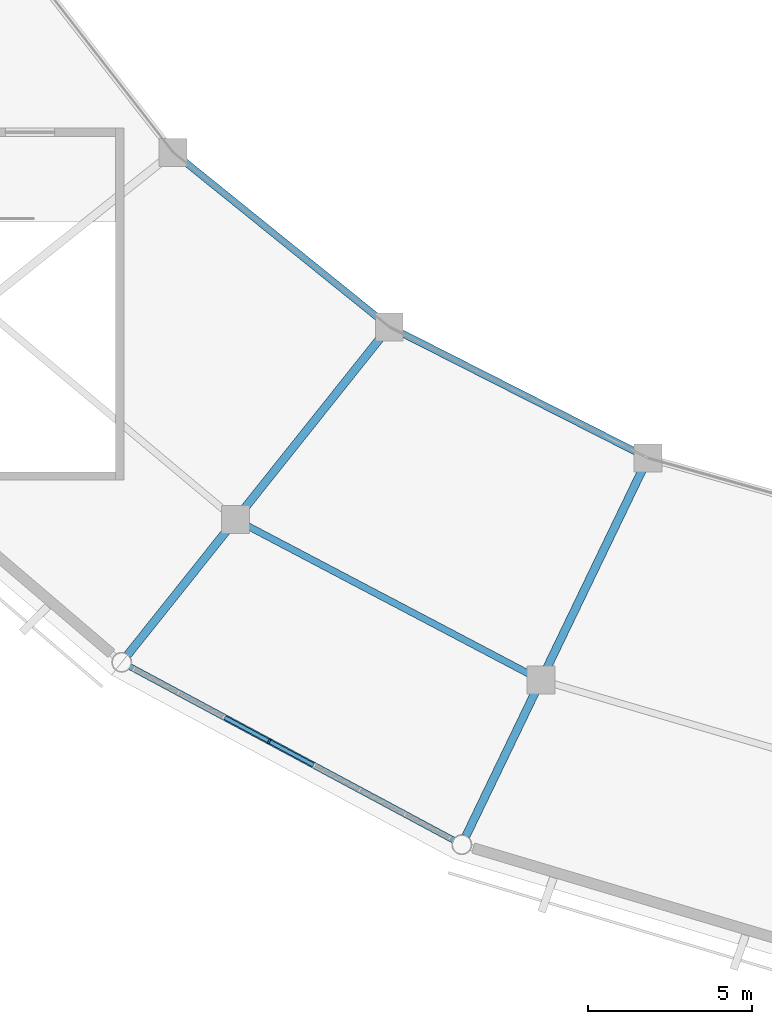
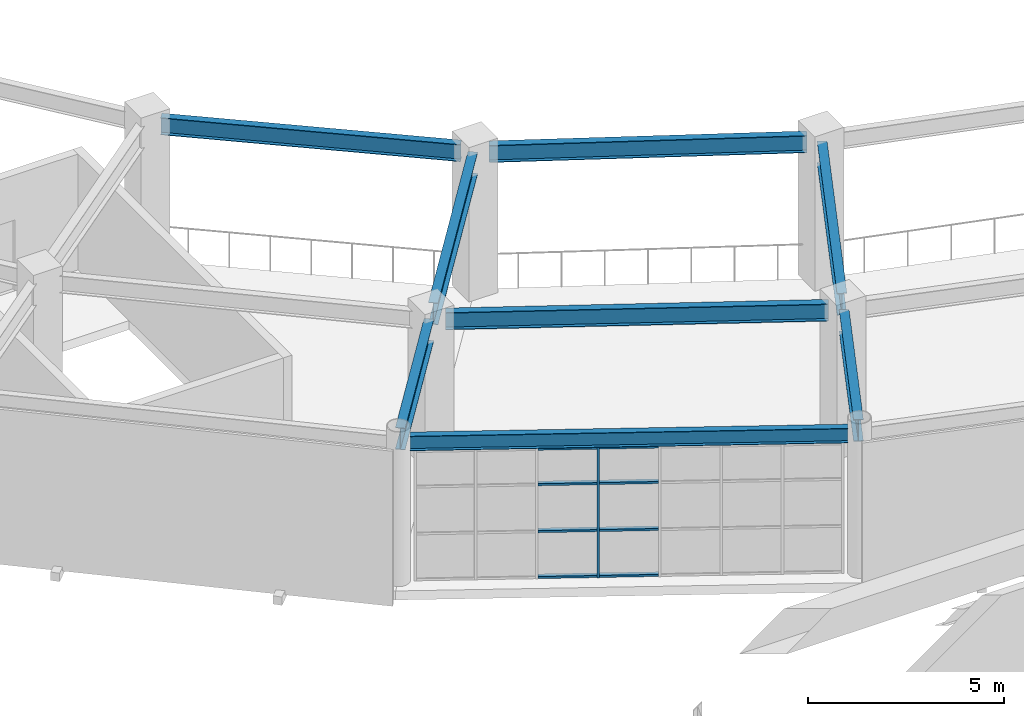
# One storey, part 23 of 112: 9 members, 8 beams, 1 element without a shape of its own.
"""IFC4 building model written with IfcOpenShell, lengths in metres."""

import ifcopenshell
import ifcopenshell.guid

model = None  # the IFC model being written
_history = None  # IfcOwnerHistory: only IFC2X3 demands one
_inside = {}  # id of a spatial element -> (the spatial element, [elements in it])
_under = {}  # id of a project, library or spatial element -> (it, [spatial elements below it])
_declared = {}  # id of a project -> (the project, [libraries it declares])
_typed = {}  # id of a type object -> (the type object, [elements of that type])
_made_of = {}  # id of a material, layer set ... -> (it, [elements and type objects made of it])


def new_model(schema):
    """Start an empty IFC model of exactly this schema.

    Asked for "IFC4X3", IfcOpenShell would pick the latest addendum, in which some entities
    have other attributes; the version numbers below select the first issue.
    IFC2X3 requires an IfcOwnerHistory on every rooted entity: one is made here for all.
    """
    global model, _history
    if schema == "IFC4X3":
        model = ifcopenshell.file(schema_version=(4, 3, 0, 0))
    else:
        model = ifcopenshell.file(schema=schema)
    _inside.clear()
    _under.clear()
    _declared.clear()
    _typed.clear()
    _made_of.clear()
    _history = None
    if model.schema == "IFC2X3":
        org = make("IfcOrganization", Name="unknown")
        user = make(
            "IfcPersonAndOrganization",
            ThePerson=make("IfcPerson", FamilyName="unknown"),
            TheOrganization=org,
        )
        app = make(
            "IfcApplication",
            ApplicationDeveloper=org,
            Version="unknown",
            ApplicationFullName="unknown",
            ApplicationIdentifier="unknown",
        )
        _history = make(
            "IfcOwnerHistory",
            OwningUser=user,
            OwningApplication=app,
            ChangeAction="ADDED",
            CreationDate=0,
        )
    return model


def make(cls, **values):
    """One entity of the class cls with the attributes given. An attribute that is None is left unset."""
    return model.create_entity(
        cls, **{name: value for name, value in values.items() if value is not None}
    )


def rooted(cls, **values):
    """An entity with a GlobalId (a new one), such as an element, a storey or a relation."""
    return make(cls, GlobalId=ifcopenshell.guid.new(), OwnerHistory=_history, **values)


def si_unit(unit_type, name, prefix=None):
    """IfcSIUnit, for example si_unit("LENGTHUNIT", "METRE", prefix="MILLI")."""
    return make("IfcSIUnit", UnitType=unit_type, Prefix=prefix, Name=name)


def assignment(units):
    """IfcUnitAssignment: the units of a project."""
    return None if units is None else make("IfcUnitAssignment", Units=units)


def point(xyz):
    """IfcCartesianPoint."""
    return None if xyz is None else make("IfcCartesianPoint", Coordinates=xyz)


def direction(xyz):
    """IfcDirection."""
    return None if xyz is None else make("IfcDirection", DirectionRatios=xyz)


def frame(location, z_axis=None, x_axis=None):
    """IfcAxis2Placement3D, a coordinate frame: its origin and axes. An axis left out is left unset."""
    return make(
        "IfcAxis2Placement3D",
        Location=point(location),
        Axis=direction(z_axis),
        RefDirection=direction(x_axis),
    )


def frame_2d(location, x_axis=None):
    """IfcAxis2Placement2D, a coordinate frame in the plane: its origin and x axis."""
    return make(
        "IfcAxis2Placement2D", Location=point(location), RefDirection=direction(x_axis)
    )


def origin():
    """The frame at (0, 0, 0) with its axes left unset."""
    return frame((0.0, 0.0, 0.0))


def origin_2d():
    """The frame at (0, 0) in the plane with its x axis left unset."""
    return frame_2d((0.0, 0.0))


def place(relative_to, where):
    """IfcLocalPlacement: puts the frame where relative to a parent placement (None: the world)."""
    return make(
        "IfcLocalPlacement", PlacementRelTo=relative_to, RelativePlacement=where
    )


def context(
    kind, dimensions, precision=None, world=None, true_north=None, identifier=None
):
    """IfcGeometricRepresentationContext, for example the 3D "Model" context."""
    return make(
        "IfcGeometricRepresentationContext",
        ContextIdentifier=identifier,
        ContextType=kind,
        CoordinateSpaceDimension=dimensions,
        Precision=precision,
        WorldCoordinateSystem=world,
        TrueNorth=true_north,
    )


def subcontext(parent, identifier, kind, view, scale=None):
    """IfcGeometricRepresentationSubContext, for example "Body" below "Model"."""
    return make(
        "IfcGeometricRepresentationSubContext",
        ContextIdentifier=identifier,
        ContextType=kind,
        ParentContext=parent,
        TargetScale=scale,
        TargetView=view,
    )


def project(units=None, contexts=None):
    """IfcProject with its units and contexts."""
    return rooted(
        "IfcProject",
        Name="project",
        RepresentationContexts=contexts,
        UnitsInContext=assignment(units),
    )


def spatial(cls, under=None, at=None, **own):
    """A site, building, storey or space (cls), placed at a placement, below another one or the project."""
    s = rooted(cls, ObjectPlacement=at, **own)
    if under is not None:
        _under.setdefault(under.id(), (under, []))[1].append(s)
    return s


def profile(cls, at=None, kind="AREA", **sizes):
    """A parametric profile (cls). Its sizes go by their IFC names, for example OverallWidth=200.0."""
    return make(cls, ProfileType=kind, Position=at, **sizes)


def rectangle(**sizes):
    """IfcRectangleProfileDef."""
    return profile("IfcRectangleProfileDef", **sizes)


def i_section(**sizes):
    """IfcIShapeProfileDef."""
    return profile("IfcIShapeProfileDef", **sizes)


def extrude(swept, where, along, depth):
    """IfcExtrudedAreaSolid: the profile swept, set in the frame where, extruded along a direction by depth."""
    return make(
        "IfcExtrudedAreaSolid",
        SweptArea=swept,
        Position=where,
        ExtrudedDirection=direction(along),
        Depth=depth,
    )


def shape(context_of_items, identifier, shape_type, items):
    """IfcShapeRepresentation: the items that make up one representation, for example the "Body"."""
    return make(
        "IfcShapeRepresentation",
        ContextOfItems=context_of_items,
        RepresentationIdentifier=identifier,
        RepresentationType=shape_type,
        Items=items,
    )


def material(Name=None, Category=None):
    """IfcMaterial."""
    return make("IfcMaterial", Name=Name, Category=Category)


def material_profile(
    of_material, cross_section, Name=None, Category=None, Priority=None
):
    """IfcMaterialProfile: a cross section and its material."""
    return make(
        "IfcMaterialProfile",
        Name=Name,
        Material=of_material,
        Profile=cross_section,
        Priority=Priority,
        Category=Category,
    )


def profile_set(profiles, Name=None, composite=None):
    """IfcMaterialProfileSet."""
    return make(
        "IfcMaterialProfileSet",
        Name=Name,
        MaterialProfiles=profiles,
        CompositeProfile=composite,
    )


def made_of(thing, what):
    """Note that an element or type object is made of a material, layer set ...; save() writes the relation."""
    if what is not None:
        _made_of.setdefault(what.id(), (what, []))[1].append(thing)
    return thing


def type_object(cls, material=None, **own):
    """A type object (cls), such as IfcWallType, which elements share."""
    return made_of(rooted(cls, **own), material)


def element(
    cls,
    number,
    at=None,
    inside=None,
    cuts=None,
    type_object=None,
    material=None,
    context=None,
    identifier="Body",
    shape_type=None,
    held_by="IfcProductDefinitionShape",
    body=None,
    shapes=None,
    **own,
):
    """One element of the class cls, such as IfcWall. Its Tag is "e" and its number.

    at: its placement. inside: the storey or other place that contains it. cuts: it is an
    opening in that element (IfcRelVoidsElement). A single representation is given by context,
    identifier, shape_type and body (its items); several are given by shapes. held_by: the class
    of the entity that holds the representations. save() writes the other relations.
    """
    e = rooted(cls, Tag="e%d" % number, ObjectPlacement=at, **own)
    if body is not None:
        shapes = [shape(context, identifier, shape_type, body)]
    if shapes is not None:
        e.Representation = make(held_by, Representations=shapes)
    if inside is not None:
        _inside.setdefault(inside.id(), (inside, []))[1].append(e)
    if cuts is not None:
        rooted(
            "IfcRelVoidsElement", RelatingBuildingElement=cuts, RelatedOpeningElement=e
        )
    if type_object is not None:
        _typed.setdefault(type_object.id(), (type_object, []))[1].append(e)
    return made_of(e, material)


def aggregate(whole, parts):
    """IfcRelAggregates: a whole, such as a stair, and the parts it consists of."""
    return rooted("IfcRelAggregates", RelatingObject=whole, RelatedObjects=parts)


def save(model, path):
    """Write the relations noted so far, then the file.

    IfcRelAggregates (storeys below a building ...), IfcRelContainedInSpatialStructure (elements
    in a storey), IfcRelDefinesByType, IfcRelAssociatesMaterial and IfcRelDeclares: one each for
    every whole, place, type object, material and project.
    """
    for whole, parts in _under.values():
        aggregate(whole, parts)
    for where, things in _inside.values():
        rooted(
            "IfcRelContainedInSpatialStructure",
            RelatedElements=things,
            RelatingStructure=where,
        )
    for kind, things in _typed.values():
        rooted("IfcRelDefinesByType", RelatedObjects=things, RelatingType=kind)
    for what, things in _made_of.values():
        rooted("IfcRelAssociatesMaterial", RelatedObjects=things, RelatingMaterial=what)
    for by, libraries in _declared.values():
        rooted("IfcRelDeclares", RelatingContext=by, RelatedDefinitions=libraries)
    model.write(path)


model = new_model("IFC4")

# Units and contexts
model_context = context("Model", 3, precision=1e-05, world=origin(), true_north=direction((0.0, 1.0)))
body_context = subcontext(model_context, "Body", "Model", "MODEL_VIEW")
ifc_project = project(units=[si_unit("LENGTHUNIT", "METRE"), si_unit("AREAUNIT", "SQUARE_METRE"), si_unit("VOLUMEUNIT", "CUBIC_METRE"), si_unit("PLANEANGLEUNIT", "RADIAN"), si_unit("MASSUNIT", "GRAM", prefix="KILO")], contexts=[model_context])

# Site, building, storey
site_placement = place(None, origin())
site = spatial("IfcSite", under=ifc_project, at=site_placement, CompositionType="ELEMENT")
building_placement = place(site_placement, origin())
building = spatial("IfcBuilding", under=site, at=building_placement, Name="Cuetzalor Civic Arena", CompositionType="ELEMENT")
storey_placement = place(building_placement, frame((0.0, 0.0, 11.39990234375)))
storey = spatial("IfcBuildingStorey", under=building, at=storey_placement, Name="L02", CompositionType="ELEMENT", Elevation=11.39990234375)

# Curtain wall, members
ifc_material_1 = material(Name="Anodised dark bronze aluminium and low-E solar glass", Category="aluminium")
curtain_wall_type = type_object("IfcCurtainWallType", Name="UnitisedCW_10950x4050", PredefinedType="USERDEFINED", material=ifc_material_1)
curtain_wall_placement = place(storey_placement, origin())
curtain_wall = element("IfcCurtainWall", 1, at=curtain_wall_placement, inside=storey, type_object=curtain_wall_type, Name="Drum Triangle Foyer Curtain Wall L02-040", ObjectType="UNITISED CURTAIN WALL", PredefinedType="USERDEFINED")
ifc_material_2 = material(Name="Anodised dark bronze aluminium", Category="aluminium")
ifc_material_profile_1 = material_profile(ifc_material_2, rectangle(XDim=0.06494140625, YDim=0.14990234375, at=origin_2d()), Name="ALU MULLION 65x150")
ifc_profile_set_1 = profile_set([ifc_material_profile_1], Name="Anodised dark bronze aluminium")
member_type_1 = type_object("IfcMemberType", Name="CurtainWallMullion_60x150", PredefinedType="MULLION", material=ifc_profile_set_1)
member_1_placement = place(storey_placement, frame((-29.529052734375, -38.797607421875, 0.0), z_axis=(0.0, 0.0, 1.0), x_axis=(-0.881306344124, 0.472545371163, 0.0)))
member_1 = element("IfcMember", 2, at=member_1_placement, type_object=member_type_1, Name="CW-13 mullion 5", PredefinedType="MULLION", context=body_context, shape_type="SweptSolid", body=[
    extrude(rectangle(XDim=0.06494140625, YDim=0.14990234375, at=origin_2d()), origin(), (0.0, 0.0, 1.0), 4.052978515625),
])
ifc_material_3 = material(Name="Anodised dark bronze aluminium", Category="aluminium")
ifc_material_profile_2 = material_profile(ifc_material_3, rectangle(XDim=0.1201171875, YDim=0.06494140625, at=origin_2d()), Name="ALU TRANSOM 65x120")
ifc_profile_set_2 = profile_set([ifc_material_profile_2], Name="Anodised dark bronze aluminium")
member_type_2 = type_object("IfcMemberType", Name="CurtainWallTransom_60x120", PredefinedType="USERDEFINED", material=ifc_profile_set_2)
member_2_placement = place(storey_placement, frame((-28.179443359375, -39.521240234375, 0.03271484375), z_axis=(-0.881291006113, 0.472573975737, 0.0), x_axis=(-0.472573975737, -0.881291006113, 0.0)))
member_2 = element("IfcMember", 3, at=member_2_placement, type_object=member_type_2, Name="CW-13 transom 4.1", ObjectType="TRANSOM", PredefinedType="USERDEFINED", context=body_context, shape_type="SweptSolid", body=[
    extrude(rectangle(XDim=0.1201171875, YDim=0.06494140625, at=origin_2d()), origin(), (0.0, 0.0, 1.0), 1.498779296875),
])
member_3_placement = place(storey_placement, frame((-28.179443359375, -39.521240234375, 1.458984375), z_axis=(-0.881291006113, 0.472573975737, 0.0), x_axis=(-0.472573975737, -0.881291006113, 0.0)))
member_3 = element("IfcMember", 4, at=member_3_placement, type_object=member_type_2, Name="CW-13 transom 4.2", ObjectType="TRANSOM", PredefinedType="USERDEFINED", context=body_context, shape_type="SweptSolid", body=[
    extrude(rectangle(XDim=0.1201171875, YDim=0.06494140625, at=origin_2d()), origin(), (0.0, 0.0, 1.0), 1.498779296875),
])
member_4_placement = place(storey_placement, frame((-28.179443359375, -39.521240234375, 2.918212890625), z_axis=(-0.881291006113, 0.472573975737, 0.0), x_axis=(-0.472573975737, -0.881291006113, 0.0)))
member_4 = element("IfcMember", 5, at=member_4_placement, type_object=member_type_2, Name="CW-13 transom 4.3", ObjectType="TRANSOM", PredefinedType="USERDEFINED", context=body_context, shape_type="SweptSolid", body=[
    extrude(rectangle(XDim=0.1201171875, YDim=0.06494140625, at=origin_2d()), origin(), (0.0, 0.0, 1.0), 1.498779296875),
])
member_5_placement = place(storey_placement, frame((-28.179443359375, -39.521240234375, 4.0205078125), z_axis=(-0.881291006113, 0.472573975737, 0.0), x_axis=(-0.472573975737, -0.881291006113, 0.0)))
member_5 = element("IfcMember", 6, at=member_5_placement, type_object=member_type_2, Name="CW-13 transom 4.4", ObjectType="TRANSOM", PredefinedType="USERDEFINED", context=body_context, shape_type="SweptSolid", body=[
    extrude(rectangle(XDim=0.1201171875, YDim=0.06494140625, at=origin_2d()), origin(), (0.0, 0.0, 1.0), 1.498779296875),
])
member_6_placement = place(storey_placement, frame((-29.5576171875, -38.782470703125, 0.03271484375), z_axis=(-0.881291006113, 0.472573975737, 0.0), x_axis=(-0.472573975737, -0.881291006113, 0.0)))
member_6 = element("IfcMember", 7, at=member_6_placement, type_object=member_type_2, Name="CW-13 transom 5.1", ObjectType="TRANSOM", PredefinedType="USERDEFINED", context=body_context, shape_type="SweptSolid", body=[
    extrude(rectangle(XDim=0.1201171875, YDim=0.06494140625, at=origin_2d()), origin(), (0.0, 0.0, 1.0), 1.498779296875),
])
member_7_placement = place(storey_placement, frame((-29.5576171875, -38.782470703125, 1.458984375), z_axis=(-0.881291006113, 0.472573975737, 0.0), x_axis=(-0.472573975737, -0.881291006113, 0.0)))
member_7 = element("IfcMember", 8, at=member_7_placement, type_object=member_type_2, Name="CW-13 transom 5.2", ObjectType="TRANSOM", PredefinedType="USERDEFINED", context=body_context, shape_type="SweptSolid", body=[
    extrude(rectangle(XDim=0.1201171875, YDim=0.06494140625, at=origin_2d()), origin(), (0.0, 0.0, 1.0), 1.498779296875),
])
member_8_placement = place(storey_placement, frame((-29.5576171875, -38.782470703125, 2.918212890625), z_axis=(-0.881291006113, 0.472573975737, 0.0), x_axis=(-0.472573975737, -0.881291006113, 0.0)))
member_8 = element("IfcMember", 9, at=member_8_placement, type_object=member_type_2, Name="CW-13 transom 5.3", ObjectType="TRANSOM", PredefinedType="USERDEFINED", context=body_context, shape_type="SweptSolid", body=[
    extrude(rectangle(XDim=0.1201171875, YDim=0.06494140625, at=origin_2d()), origin(), (0.0, 0.0, 1.0), 1.498779296875),
])
member_9_placement = place(storey_placement, frame((-29.5576171875, -38.782470703125, 4.0205078125), z_axis=(-0.881291006113, 0.472573975737, 0.0), x_axis=(-0.472573975737, -0.881291006113, 0.0)))
member_9 = element("IfcMember", 10, at=member_9_placement, type_object=member_type_2, Name="CW-13 transom 5.4", ObjectType="TRANSOM", PredefinedType="USERDEFINED", context=body_context, shape_type="SweptSolid", body=[
    extrude(rectangle(XDim=0.1201171875, YDim=0.06494140625, at=origin_2d()), origin(), (0.0, 0.0, 1.0), 1.498779296875),
])
aggregate(curtain_wall, [member_1, member_2, member_3, member_4, member_5, member_6, member_7, member_8, member_9])

# Beams
ifc_material_4 = material(Name="Steel S355", Category="steel")
ifc_material_profile_3 = material_profile(ifc_material_4, i_section(OverallWidth=0.18994140625, OverallDepth=0.45703125, WebThickness=0.009033203125, FlangeThickness=0.014404296875, at=origin_2d()), Name="W460x74")
ifc_profile_set_3 = profile_set([ifc_material_profile_3], Name="Steel S355")
beam_type_1 = type_object("IfcBeamType", Name="FacadeSpandrelBeam_W460", PredefinedType="SPANDREL", material=ifc_profile_set_3)
beam_1_placement = place(storey_placement, frame((-33.755859375, -36.53125, 4.29150390625), z_axis=(0.881304552514, -0.472548712534, 0.0), x_axis=(0.472548712534, 0.881304552514, 0.0)))
element("IfcBeam", 11, at=beam_1_placement, inside=storey, type_object=beam_type_1, Name="Drum Perimeter Spandrel L02-S19", PredefinedType="SPANDREL", context=body_context, shape_type="SweptSolid", body=[
    extrude(i_section(OverallWidth=0.18994140625, OverallDepth=0.45703125, WebThickness=0.009033203125, FlangeThickness=0.014404296875, at=origin_2d()), origin(), (0.0, 0.0, 1.0), 11.156005859375),
])
ifc_material_5 = material(Name="Steel S355", Category="steel")
ifc_material_profile_4 = material_profile(ifc_material_5, i_section(OverallWidth=0.208984375, OverallDepth=0.532958984375, WebThickness=0.01025390625, FlangeThickness=0.015625, at=origin_2d()), Name="W530x92")
ifc_profile_set_4 = profile_set([ifc_material_profile_4], Name="Steel S355")
beam_type_2 = type_object("IfcBeamType", Name="SteelCollarGirder_W530", PredefinedType="BEAM", material=ifc_profile_set_4)
beam_2_placement = place(storey_placement, frame((-32.166015625, -21.113037109375, 4.253662109375), z_axis=(0.77812651983, -0.628107569719, 0.0), x_axis=(0.628107569719, 0.77812651983, 0.0)))
element("IfcBeam", 12, at=beam_2_placement, inside=storey, type_object=beam_type_2, Name="Bowl Inner Ring Girder L02-S18", PredefinedType="BEAM", context=body_context, shape_type="SweptSolid", body=[
    extrude(i_section(OverallWidth=0.208984375, OverallDepth=0.532958984375, WebThickness=0.01025390625, FlangeThickness=0.015625, at=origin_2d()), origin(), (0.0, 0.0, 1.0), 7.725341796875),
])
beam_3_placement = place(storey_placement, frame((-30.223388671875, -32.227294921875, 4.253662109375), z_axis=(0.885117354883, -0.465367884673, 0.0), x_axis=(0.465367884673, 0.885117354883, 0.0)))
element("IfcBeam", 13, at=beam_3_placement, inside=storey, type_object=beam_type_2, Name="Drum Concourse Ring Girder L02-S19", PredefinedType="BEAM", context=body_context, shape_type="SweptSolid", body=[
    extrude(i_section(OverallWidth=0.208984375, OverallDepth=0.532958984375, WebThickness=0.01025390625, FlangeThickness=0.015625, at=origin_2d()), origin(), (0.0, 0.0, 1.0), 9.75634765625),
])
beam_4_placement = place(storey_placement, frame((-25.5537109375, -26.354248046875, 4.253662109375), z_axis=(0.89182706622, -0.452376484754, 0.0), x_axis=(0.452376484754, 0.89182706622, 0.0)))
element("IfcBeam", 14, at=beam_4_placement, inside=storey, type_object=beam_type_2, Name="Bowl Inner Ring Girder L02-S19", PredefinedType="BEAM", context=body_context, shape_type="SweptSolid", body=[
    extrude(i_section(OverallWidth=0.208984375, OverallDepth=0.532958984375, WebThickness=0.01025390625, FlangeThickness=0.015625, at=origin_2d()), origin(), (0.0, 0.0, 1.0), 8.102783203125),
])
ifc_material_6 = material(Name="Steel S355", Category="steel")
ifc_material_profile_5 = material_profile(ifc_material_6, i_section(OverallWidth=0.2529296875, OverallDepth=0.677978515625, WebThickness=0.01171875, FlangeThickness=0.016357421875, at=origin_2d()), Name="W690x125")
ifc_profile_set_5 = profile_set([ifc_material_profile_5], Name="Steel S355")
beam_type_3 = type_object("IfcBeamType", Name="SteelPrimaryGirder_W690", PredefinedType="BEAM", material=ifc_profile_set_5)
beam_5_placement = place(storey_placement, frame((-30.775390625, -32.336669921875, 4.18115234375), z_axis=(-0.623515538789, -0.781810957258, 0.0), x_axis=(0.781810957258, -0.623515538789, 0.0)))
element("IfcBeam", 15, at=beam_5_placement, inside=storey, type_object=beam_type_3, Name="Drum Radial Girder L02-R19", PredefinedType="BEAM", context=body_context, shape_type="SweptSolid", body=[
    extrude(i_section(OverallWidth=0.2529296875, OverallDepth=0.677978515625, WebThickness=0.01171875, FlangeThickness=0.016357421875, at=origin_2d()), origin(), (0.0, 0.0, 1.0), 4.89990234375),
])
beam_6_placement = place(storey_placement, frame((-26.099365234375, -26.472900390625, 4.18115234375), z_axis=(-0.623473464464, -0.781844510826, 0.0), x_axis=(0.781844510826, -0.623473464464, 0.0)))
element("IfcBeam", 16, at=beam_6_placement, inside=storey, type_object=beam_type_3, Name="Drum Inner Radial Girder L02-R19", PredefinedType="BEAM", context=body_context, shape_type="SweptSolid", body=[
    extrude(i_section(OverallWidth=0.2529296875, OverallDepth=0.677978515625, WebThickness=0.01171875, FlangeThickness=0.016357421875, at=origin_2d()), origin(), (0.0, 0.0, 1.0), 6.77978515625),
])
beam_7_placement = place(storey_placement, frame((-21.41650390625, -37.263916015625, 4.18115234375), z_axis=(-0.433871046232, -0.900974980364, 0.0), x_axis=(0.900974980364, -0.433871046232, 0.0)))
element("IfcBeam", 17, at=beam_7_placement, inside=storey, type_object=beam_type_3, Name="Drum Radial Girder L02-R20", PredefinedType="BEAM", context=body_context, shape_type="SweptSolid", body=[
    extrude(i_section(OverallWidth=0.2529296875, OverallDepth=0.677978515625, WebThickness=0.01171875, FlangeThickness=0.016357421875, at=origin_2d()), origin(), (0.0, 0.0, 1.0), 4.89990234375),
])
beam_8_placement = place(storey_placement, frame((-18.162353515625, -30.5068359375, 4.18115234375), z_axis=(-0.433869751452, -0.900975603874, 0.0), x_axis=(0.900975603874, -0.433869751452, 0.0)))
element("IfcBeam", 18, at=beam_8_placement, inside=storey, type_object=beam_type_3, Name="Drum Inner Radial Girder L02-R20", PredefinedType="BEAM", context=body_context, shape_type="SweptSolid", body=[
    extrude(i_section(OverallWidth=0.2529296875, OverallDepth=0.677978515625, WebThickness=0.01171875, FlangeThickness=0.016357421875, at=origin_2d()), origin(), (0.0, 0.0, 1.0), 6.780029296875),
])

save(model, "model.ifc")
